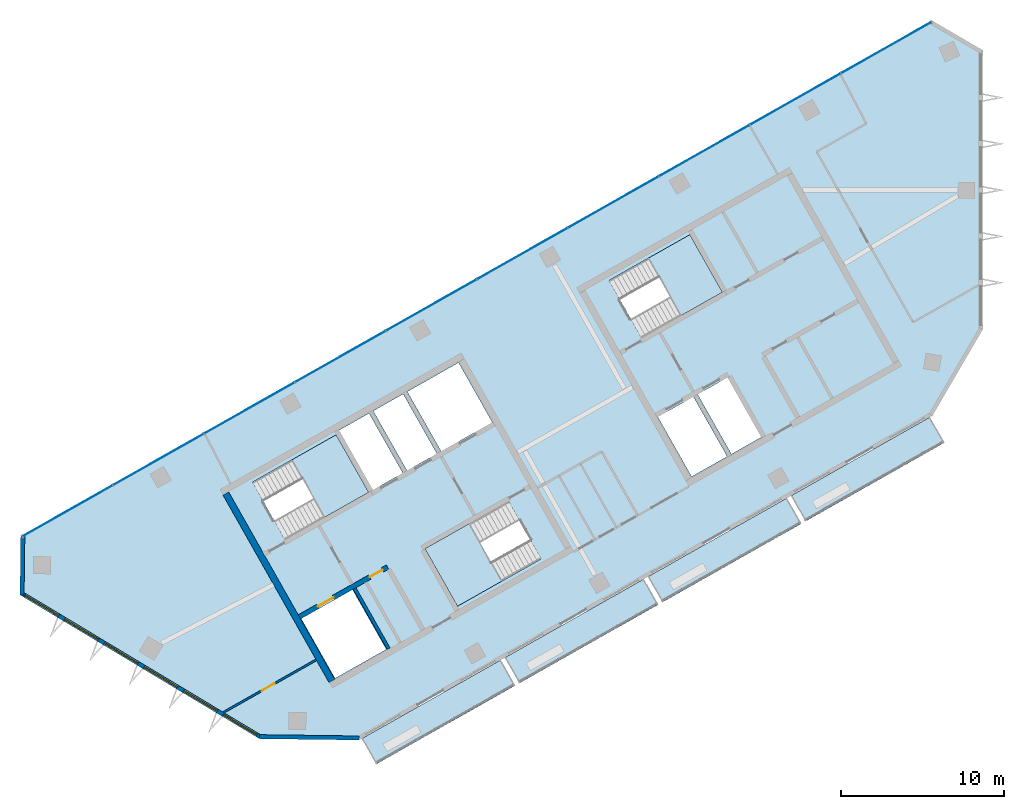
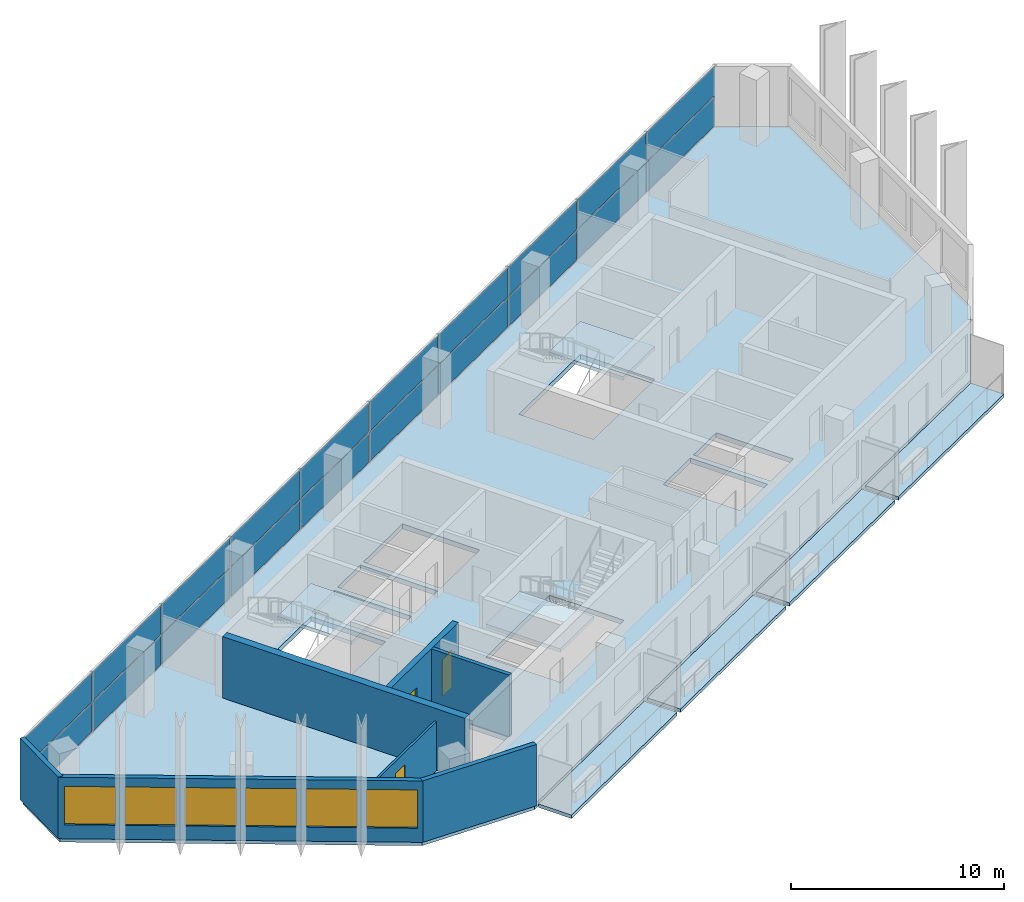
# One storey, part 5 of 10: 20 plates, 8 slabs, 7 walls, 6 windows, 3 doors, 9 openings, 4 elements without a shape of their own.
"""IFC4 building model written with IfcOpenShell, lengths in metres."""

from ifc_helpers import new_model, si_unit, direction, frame, frame_2d, origin, origin_2d, place, context, subcontext, project, spatial, polyline, rectangle, outline, extrude, material, layer, layer_set, type_object, element, fill, aggregate, save


model = new_model("IFC4")

# Units and contexts
model_context = context("Model", 3, precision=1e-05, world=origin(), true_north=direction((0.0, 1.0)))
body_context = subcontext(model_context, "Body", "Model", "MODEL_VIEW")
ifc_project = project(units=[si_unit("LENGTHUNIT", "METRE"), si_unit("AREAUNIT", "SQUARE_METRE"), si_unit("VOLUMEUNIT", "CUBIC_METRE"), si_unit("PLANEANGLEUNIT", "RADIAN"), si_unit("MASSUNIT", "GRAM", prefix="KILO")], contexts=[model_context])

# Site, building, storey
site_placement = place(None, origin())
site = spatial("IfcSite", under=ifc_project, at=site_placement, CompositionType="ELEMENT")
building_placement = place(site_placement, origin())
building = spatial("IfcBuilding", under=site, at=building_placement, Name="Binnacle Exchange Tower", CompositionType="ELEMENT")
storey_placement = place(building_placement, frame((0.0, 0.0, 316.5)))
storey = spatial("IfcBuildingStorey", under=building, at=storey_placement, Name="L71", CompositionType="ELEMENT", Elevation=316.5)

# Slabs
ifc_material_1 = material(Name="Concrete C35/45", Category="concrete")
ifc_layer_1 = layer(ifc_material_1, 0.199951171875)
ifc_layer_set_1 = layer_set([ifc_layer_1], Name="BALCONY SLAB 200")
slab_type_1 = type_object("IfcSlabType", Name="BALCONY SLAB 200", PredefinedType="FLOOR", material=ifc_layer_set_1)
slab_1_placement = place(storey_placement, frame((0.0, 0.0, -0.199951171875)))
element("IfcSlab", 1, at=slab_1_placement, inside=storey, type_object=slab_type_1, Name="Balcony BA-H07-00 L71", PredefinedType="FLOOR", context=body_context, shape_type="SweptSolid", body=[
    extrude(outline(polyline([(-37.90576171875, 26.410400390625), (-29.40380859375, 31.220458984375), (-28.517578125, 29.65380859375), (-37.019287109375, 24.84375), (-37.90576171875, 26.410400390625)])), origin(), (0.0, 0.0, 1.0), 0.199951171875),
])
slab_2_placement = place(storey_placement, frame((0.0, 0.0, -0.199951171875)))
element("IfcSlab", 2, at=slab_2_placement, inside=storey, type_object=slab_type_1, Name="Balcony BA-H07-01 L71", PredefinedType="FLOOR", context=body_context, shape_type="SweptSolid", body=[
    extrude(outline(polyline([(-29.142822265625, 31.3681640625), (-20.64111328125, 36.17822265625), (-19.754638671875, 34.611572265625), (-28.25634765625, 29.801513671875), (-29.142822265625, 31.3681640625)])), origin(), (0.0, 0.0, 1.0), 0.199951171875),
])
slab_3_placement = place(storey_placement, frame((0.0, 0.0, -0.199951171875)))
element("IfcSlab", 3, at=slab_3_placement, inside=storey, type_object=slab_type_1, Name="Balcony BA-H07-02 L71", PredefinedType="FLOOR", context=body_context, shape_type="SweptSolid", body=[
    extrude(outline(polyline([(-20.3798828125, 36.325927734375), (-11.878173828125, 41.135986328125), (-10.99169921875, 39.5693359375), (-19.493408203125, 34.759521484375), (-20.3798828125, 36.325927734375)])), origin(), (0.0, 0.0, 1.0), 0.199951171875),
])
slab_4_placement = place(storey_placement, frame((0.0, 0.0, -0.199951171875)))
element("IfcSlab", 4, at=slab_4_placement, inside=storey, type_object=slab_type_1, Name="Balcony BA-H07-03 L71", PredefinedType="FLOOR", context=body_context, shape_type="SweptSolid", body=[
    extrude(outline(polyline([(-11.616943359375, 41.28369140625), (-3.115234375, 46.093994140625), (-2.22900390625, 44.527099609375), (-10.730712890625, 39.717041015625), (-11.616943359375, 41.28369140625)])), origin(), (0.0, 0.0, 1.0), 0.199951171875),
])

# Curtain wall, plates
ifc_material_2 = material(Name="Bronze anodised aluminium frame", Category="aluminium")
curtain_wall_type = type_object("IfcCurtainWallType", Name="External wall - curtain wall executive floors", PredefinedType="NOTDEFINED", material=ifc_material_2)
curtain_wall_placement = place(storey_placement, origin())
curtain_wall = element("IfcCurtainWall", 5, at=curtain_wall_placement, inside=storey, type_object=curtain_wall_type, Name="External wall curtain wall CW4-H03 L71", PredefinedType="NOTDEFINED")
ifc_material_3 = material(Name="Glass", Category="glass")
ifc_layer_2 = layer(ifc_material_3, 0.031982421875)
ifc_layer_set_2 = layer_set([ifc_layer_2], Name="CW4 GLASS PANEL 32")
plate_type = type_object("IfcPlateType", Name="CW4 GLASS PANEL 32", PredefinedType="CURTAIN_PANEL", material=ifc_layer_set_2)
plate_1_placement = place(storey_placement, frame((-5.786376953125, 68.72607421875, 0.050048828125), z_axis=(0.0, 0.0, 1.0), x_axis=(-0.870355581136, -0.492423763019, 0.0)))
plate_1 = element("IfcPlate", 6, at=plate_1_placement, type_object=plate_type, Name="CW4-H03 panel 1.1", PredefinedType="CURTAIN_PANEL", context=body_context, shape_type="SweptSolid", body=[
    extrude(rectangle(XDim=6.30029296875, YDim=0.031982421875, at=origin_2d()), origin(), (0.0, 0.0, 1.0), 1.68505859375),
])
plate_2_placement = place(storey_placement, frame((-5.786376953125, 68.72607421875, 1.784912109375), z_axis=(0.0, 0.0, 1.0), x_axis=(-0.870355581136, -0.492423763019, 0.0)))
plate_2 = element("IfcPlate", 7, at=plate_2_placement, type_object=plate_type, Name="CW4-H03 panel 1.2", PredefinedType="CURTAIN_PANEL", context=body_context, shape_type="SweptSolid", body=[
    extrude(rectangle(XDim=6.30029296875, YDim=0.031982421875, at=origin_2d()), origin(), (0.0, 0.0, 1.0), 1.68505859375),
])
plate_3_placement = place(storey_placement, frame((-11.345947265625, 65.580810546875, 0.050048828125), z_axis=(0.0, 0.0, 1.0), x_axis=(-0.870355581136, -0.492423763019, 0.0)))
plate_3 = element("IfcPlate", 8, at=plate_3_placement, type_object=plate_type, Name="CW4-H03 panel 2.1", PredefinedType="CURTAIN_PANEL", context=body_context, shape_type="SweptSolid", body=[
    extrude(rectangle(XDim=6.335205078125, YDim=0.031982421875, at=origin_2d()), origin(), (0.0, 0.0, 1.0), 1.68505859375),
])
plate_4_placement = place(storey_placement, frame((-11.345947265625, 65.580810546875, 1.784912109375), z_axis=(0.0, 0.0, 1.0), x_axis=(-0.870355581136, -0.492423763019, 0.0)))
plate_4 = element("IfcPlate", 9, at=plate_4_placement, type_object=plate_type, Name="CW4-H03 panel 2.2", PredefinedType="CURTAIN_PANEL", context=body_context, shape_type="SweptSolid", body=[
    extrude(rectangle(XDim=6.335205078125, YDim=0.031982421875, at=origin_2d()), origin(), (0.0, 0.0, 1.0), 1.68505859375),
])
plate_5_placement = place(storey_placement, frame((-16.9208984375, 62.426513671875, 0.050048828125), z_axis=(0.0, 0.0, 1.0), x_axis=(-0.870355581136, -0.492423763019, 0.0)))
plate_5 = element("IfcPlate", 10, at=plate_5_placement, type_object=plate_type, Name="CW4-H03 panel 3.1", PredefinedType="CURTAIN_PANEL", context=body_context, shape_type="SweptSolid", body=[
    extrude(rectangle(XDim=6.335205078125, YDim=0.031982421875, at=origin_2d()), origin(), (0.0, 0.0, 1.0), 1.68505859375),
])
plate_6_placement = place(storey_placement, frame((-16.9208984375, 62.426513671875, 1.784912109375), z_axis=(0.0, 0.0, 1.0), x_axis=(-0.870355581136, -0.492423763019, 0.0)))
plate_6 = element("IfcPlate", 11, at=plate_6_placement, type_object=plate_type, Name="CW4-H03 panel 3.2", PredefinedType="CURTAIN_PANEL", context=body_context, shape_type="SweptSolid", body=[
    extrude(rectangle(XDim=6.335205078125, YDim=0.031982421875, at=origin_2d()), origin(), (0.0, 0.0, 1.0), 1.68505859375),
])
plate_7_placement = place(storey_placement, frame((-22.49560546875, 59.2724609375, 0.050048828125), z_axis=(0.0, 0.0, 1.0), x_axis=(-0.870355581136, -0.492423763019, 0.0)))
plate_7 = element("IfcPlate", 12, at=plate_7_placement, type_object=plate_type, Name="CW4-H03 panel 4.1", PredefinedType="CURTAIN_PANEL", context=body_context, shape_type="SweptSolid", body=[
    extrude(rectangle(XDim=6.335205078125, YDim=0.031982421875, at=origin_2d()), origin(), (0.0, 0.0, 1.0), 1.68505859375),
])
plate_8_placement = place(storey_placement, frame((-22.49560546875, 59.2724609375, 1.784912109375), z_axis=(0.0, 0.0, 1.0), x_axis=(-0.870355581136, -0.492423763019, 0.0)))
plate_8 = element("IfcPlate", 13, at=plate_8_placement, type_object=plate_type, Name="CW4-H03 panel 4.2", PredefinedType="CURTAIN_PANEL", context=body_context, shape_type="SweptSolid", body=[
    extrude(rectangle(XDim=6.335205078125, YDim=0.031982421875, at=origin_2d()), origin(), (0.0, 0.0, 1.0), 1.68505859375),
])
plate_9_placement = place(storey_placement, frame((-28.070556640625, 56.118408203125, 0.050048828125), z_axis=(0.0, 0.0, 1.0), x_axis=(-0.870355581136, -0.492423763019, 0.0)))
plate_9 = element("IfcPlate", 14, at=plate_9_placement, type_object=plate_type, Name="CW4-H03 panel 5.1", PredefinedType="CURTAIN_PANEL", context=body_context, shape_type="SweptSolid", body=[
    extrude(rectangle(XDim=6.335205078125, YDim=0.031982421875, at=origin_2d()), origin(), (0.0, 0.0, 1.0), 1.68505859375),
])
plate_10_placement = place(storey_placement, frame((-28.070556640625, 56.118408203125, 1.784912109375), z_axis=(0.0, 0.0, 1.0), x_axis=(-0.870355581136, -0.492423763019, 0.0)))
plate_10 = element("IfcPlate", 15, at=plate_10_placement, type_object=plate_type, Name="CW4-H03 panel 5.2", PredefinedType="CURTAIN_PANEL", context=body_context, shape_type="SweptSolid", body=[
    extrude(rectangle(XDim=6.335205078125, YDim=0.031982421875, at=origin_2d()), origin(), (0.0, 0.0, 1.0), 1.68505859375),
])
plate_11_placement = place(storey_placement, frame((-33.6455078125, 52.96435546875, 0.050048828125), z_axis=(0.0, 0.0, 1.0), x_axis=(-0.870355581136, -0.492423763019, 0.0)))
plate_11 = element("IfcPlate", 16, at=plate_11_placement, type_object=plate_type, Name="CW4-H03 panel 6.1", PredefinedType="CURTAIN_PANEL", context=body_context, shape_type="SweptSolid", body=[
    extrude(rectangle(XDim=6.335205078125, YDim=0.031982421875, at=origin_2d()), origin(), (0.0, 0.0, 1.0), 1.68505859375),
])
plate_12_placement = place(storey_placement, frame((-33.6455078125, 52.96435546875, 1.784912109375), z_axis=(0.0, 0.0, 1.0), x_axis=(-0.870355581136, -0.492423763019, 0.0)))
plate_12 = element("IfcPlate", 17, at=plate_12_placement, type_object=plate_type, Name="CW4-H03 panel 6.2", PredefinedType="CURTAIN_PANEL", context=body_context, shape_type="SweptSolid", body=[
    extrude(rectangle(XDim=6.335205078125, YDim=0.031982421875, at=origin_2d()), origin(), (0.0, 0.0, 1.0), 1.68505859375),
])
plate_13_placement = place(storey_placement, frame((-39.22021484375, 49.810302734375, 0.050048828125), z_axis=(0.0, 0.0, 1.0), x_axis=(-0.870355581136, -0.492423763019, 0.0)))
plate_13 = element("IfcPlate", 18, at=plate_13_placement, type_object=plate_type, Name="CW4-H03 panel 7.1", PredefinedType="CURTAIN_PANEL", context=body_context, shape_type="SweptSolid", body=[
    extrude(rectangle(XDim=6.335205078125, YDim=0.031982421875, at=origin_2d()), origin(), (0.0, 0.0, 1.0), 1.68505859375),
])
plate_14_placement = place(storey_placement, frame((-39.22021484375, 49.810302734375, 1.784912109375), z_axis=(0.0, 0.0, 1.0), x_axis=(-0.870355581136, -0.492423763019, 0.0)))
plate_14 = element("IfcPlate", 19, at=plate_14_placement, type_object=plate_type, Name="CW4-H03 panel 7.2", PredefinedType="CURTAIN_PANEL", context=body_context, shape_type="SweptSolid", body=[
    extrude(rectangle(XDim=6.335205078125, YDim=0.031982421875, at=origin_2d()), origin(), (0.0, 0.0, 1.0), 1.68505859375),
])
plate_15_placement = place(storey_placement, frame((-44.795166015625, 46.656005859375, 0.050048828125), z_axis=(0.0, 0.0, 1.0), x_axis=(-0.870355581136, -0.492423763019, 0.0)))
plate_15 = element("IfcPlate", 20, at=plate_15_placement, type_object=plate_type, Name="CW4-H03 panel 8.1", PredefinedType="CURTAIN_PANEL", context=body_context, shape_type="SweptSolid", body=[
    extrude(rectangle(XDim=6.335205078125, YDim=0.031982421875, at=origin_2d()), origin(), (0.0, 0.0, 1.0), 1.68505859375),
])
plate_16_placement = place(storey_placement, frame((-44.795166015625, 46.656005859375, 1.784912109375), z_axis=(0.0, 0.0, 1.0), x_axis=(-0.870355581136, -0.492423763019, 0.0)))
plate_16 = element("IfcPlate", 21, at=plate_16_placement, type_object=plate_type, Name="CW4-H03 panel 8.2", PredefinedType="CURTAIN_PANEL", context=body_context, shape_type="SweptSolid", body=[
    extrude(rectangle(XDim=6.335205078125, YDim=0.031982421875, at=origin_2d()), origin(), (0.0, 0.0, 1.0), 1.68505859375),
])
plate_17_placement = place(storey_placement, frame((-50.369873046875, 43.501953125, 0.050048828125), z_axis=(0.0, 0.0, 1.0), x_axis=(-0.870355581136, -0.492423763019, 0.0)))
plate_17 = element("IfcPlate", 22, at=plate_17_placement, type_object=plate_type, Name="CW4-H03 panel 9.1", PredefinedType="CURTAIN_PANEL", context=body_context, shape_type="SweptSolid", body=[
    extrude(rectangle(XDim=6.335205078125, YDim=0.031982421875, at=origin_2d()), origin(), (0.0, 0.0, 1.0), 1.68505859375),
])
plate_18_placement = place(storey_placement, frame((-50.369873046875, 43.501953125, 1.784912109375), z_axis=(0.0, 0.0, 1.0), x_axis=(-0.870355581136, -0.492423763019, 0.0)))
plate_18 = element("IfcPlate", 23, at=plate_18_placement, type_object=plate_type, Name="CW4-H03 panel 9.2", PredefinedType="CURTAIN_PANEL", context=body_context, shape_type="SweptSolid", body=[
    extrude(rectangle(XDim=6.335205078125, YDim=0.031982421875, at=origin_2d()), origin(), (0.0, 0.0, 1.0), 1.68505859375),
])
plate_19_placement = place(storey_placement, frame((-55.9296875, 40.3564453125, 0.050048828125), z_axis=(0.0, 0.0, 1.0), x_axis=(-0.870355581136, -0.492423763019, 0.0)))
plate_19 = element("IfcPlate", 24, at=plate_19_placement, type_object=plate_type, Name="CW4-H03 panel 10.1", PredefinedType="CURTAIN_PANEL", context=body_context, shape_type="SweptSolid", body=[
    extrude(rectangle(XDim=6.30029296875, YDim=0.031982421875, at=origin_2d()), origin(), (0.0, 0.0, 1.0), 1.68505859375),
])
plate_20_placement = place(storey_placement, frame((-55.9296875, 40.3564453125, 1.784912109375), z_axis=(0.0, 0.0, 1.0), x_axis=(-0.870355581136, -0.492423763019, 0.0)))
plate_20 = element("IfcPlate", 25, at=plate_20_placement, type_object=plate_type, Name="CW4-H03 panel 10.2", PredefinedType="CURTAIN_PANEL", context=body_context, shape_type="SweptSolid", body=[
    extrude(rectangle(XDim=6.30029296875, YDim=0.031982421875, at=origin_2d()), origin(), (0.0, 0.0, 1.0), 1.68505859375),
])
aggregate(curtain_wall, [plate_1, plate_2, plate_3, plate_4, plate_5, plate_6, plate_7, plate_8, plate_9, plate_10, plate_11, plate_12, plate_13, plate_14, plate_15, plate_16, plate_17, plate_18, plate_19, plate_20])

# Slab
ifc_layer_3 = layer(ifc_material_1, 0.280029296875)
ifc_layer_set_3 = layer_set([ifc_layer_3], Name="Floor slab 280 Concrete C35/45")
slab_type_2 = type_object("IfcSlabType", Name="Floor slab 280 Concrete C35/45", PredefinedType="FLOOR", material=ifc_layer_set_3)
slab_5_placement = place(storey_placement, frame((0.0, 0.0, -0.280029296875)))
element("IfcSlab", 26, at=slab_5_placement, inside=storey, type_object=slab_type_2, Name="S:SL:L71:01", PredefinedType="FLOOR", context=body_context, shape_type="SweptSolid", body=[
    extrude(outline(polyline([(-38.097900390625, 26.4453125), (-44.14404296875, 26.5244140625), (-58.716064453125, 35.280029296875), (-58.669921875, 38.80615234375), (-3.046142578125, 70.276611328125), (0.0, 68.5), (0.0, 51.5), (-3.046142578125, 46.276611328125), (-38.097900390625, 26.4453125)]), holes=[polyline([(-38.4794921875, 35.529296875), (-41.61279296875, 33.756591796875), (-39.544677734375, 30.10107421875), (-36.411376953125, 31.873779296875), (-38.4794921875, 35.529296875)]), polyline([(-32.04638671875, 34.515625), (-26.9287109375, 37.4111328125), (-28.923095703125, 40.93603515625), (-34.040771484375, 38.04052734375), (-32.04638671875, 34.515625)]), polyline([(-39.480712890625, 45.01611328125), (-44.598388671875, 42.12060546875), (-42.604248046875, 38.595703125), (-37.486572265625, 41.4912109375), (-39.480712890625, 45.01611328125)]), polyline([(-37.4658203125, 46.32861328125), (-39.293701171875, 45.29443359375), (-37.225341796875, 41.638916015625), (-35.397705078125, 42.673095703125), (-37.4658203125, 46.32861328125)]), polyline([(-17.598876953125, 47.343017578125), (-19.77490234375, 46.11181640625), (-17.70654296875, 42.456298828125), (-15.53076171875, 43.6875), (-17.598876953125, 47.343017578125)]), polyline([(-35.376953125, 47.51025390625), (-37.20458984375, 46.476318359375), (-35.136474609375, 42.82080078125), (-33.308837890625, 43.854736328125), (-35.376953125, 47.51025390625)]), polyline([(-15.510009765625, 48.52490234375), (-17.337890625, 47.49072265625), (-15.26953125, 43.835205078125), (-13.44189453125, 44.869384765625), (-15.510009765625, 48.52490234375)]), polyline([(-29.914306640625, 45.775390625), (-31.982666015625, 49.430908203125), (-35.115966796875, 47.657958984375), (-33.047607421875, 44.00244140625), (-29.914306640625, 45.775390625)]), polyline([(-15.822509765625, 53.748046875), (-17.81689453125, 57.27294921875), (-22.760498046875, 54.47607421875), (-20.76611328125, 50.950927734375), (-15.822509765625, 53.748046875)])]), origin(), (0.0, 0.0, 1.0), 0.280029296875),
])

# Stair, slab
stair_type = type_object("IfcStairType", Name="STAIR 22 RISERS 173", PredefinedType="HALF_TURN_STAIR", material=ifc_material_1)
stair_1_placement = place(storey_placement, origin())
stair_1 = element("IfcStair", 27, at=stair_1_placement, inside=storey, type_object=stair_type, Name="L71 Escape stair A1", PredefinedType="HALF_TURN_STAIR")
ifc_layer_4 = layer(ifc_material_1, 0.199951171875)
ifc_layer_set_4 = layer_set([ifc_layer_4], Name="STAIR LANDING 200")
slab_type_3 = type_object("IfcSlabType", Name="STAIR LANDING 200", PredefinedType="LANDING", material=ifc_layer_set_4)
slab_6_placement = place(storey_placement, frame((0.0, 0.0, 1.699951171875)))
slab_6 = element("IfcSlab", 28, at=slab_6_placement, type_object=slab_type_3, Name="STA1 landing 1", PredefinedType="LANDING", context=body_context, shape_type="SweptSolid", body=[
    extrude(outline(polyline([(-40.2021484375, 39.954833984375), (-37.486572265625, 41.4912109375), (-39.48095703125, 45.01611328125), (-42.1962890625, 43.479736328125), (-40.2021484375, 39.954833984375)])), origin(), (0.0, 0.0, 1.0), 0.199951171875),
])
aggregate(stair_1, [slab_6])

stair_2_placement = place(storey_placement, origin())
stair_2 = element("IfcStair", 29, at=stair_2_placement, inside=storey, type_object=stair_type, Name="L71 Escape stair A2", PredefinedType="HALF_TURN_STAIR")
slab_7_placement = place(storey_placement, frame((0.0, 0.0, 1.699951171875)))
slab_7 = element("IfcSlab", 30, at=slab_7_placement, type_object=slab_type_3, Name="STA2 landing 1", PredefinedType="LANDING", context=body_context, shape_type="SweptSolid", body=[
    extrude(outline(polyline([(-31.3251953125, 39.576904296875), (-34.040771484375, 38.04052734375), (-32.04638671875, 34.515625), (-29.330810546875, 36.052001953125), (-31.3251953125, 39.576904296875)])), origin(), (0.0, 0.0, 1.0), 0.199951171875),
])
aggregate(stair_2, [slab_7])

stair_3_placement = place(storey_placement, origin())
stair_3 = element("IfcStair", 31, at=stair_3_placement, inside=storey, type_object=stair_type, Name="L71 Escape stair C1", PredefinedType="HALF_TURN_STAIR")
slab_8_placement = place(storey_placement, frame((0.0, 0.0, 1.699951171875)))
slab_8 = element("IfcSlab", 32, at=slab_8_placement, type_object=slab_type_3, Name="STC1 landing 1", PredefinedType="LANDING", context=body_context, shape_type="SweptSolid", body=[
    extrude(outline(polyline([(-18.364013671875, 52.31005859375), (-15.822509765625, 53.748046875), (-17.81689453125, 57.27294921875), (-20.3583984375, 55.8349609375), (-18.364013671875, 52.31005859375)])), origin(), (0.0, 0.0, 1.0), 0.199951171875),
])
aggregate(stair_3, [slab_8])

# Wall, openings, doors
ifc_material_4 = material(Name="Concrete C70/85", Category="concrete")
ifc_layer_5 = layer(ifc_material_4, 0.300048828125)
ifc_layer_set_5 = layer_set([ifc_layer_5], Name="Core wall - front 300")
wall_type_1 = type_object("IfcWallType", Name="Core wall - front 300", PredefinedType="SOLIDWALL", material=ifc_layer_set_5)
wall_1_placement = place(storey_placement, frame((-41.72998046875, 33.862548828125, 0.0), z_axis=(0.0, 0.0, 1.0), x_axis=(0.870350800578, 0.492432212525, 0.0)))
wall_1 = element("IfcWall", 33, at=wall_1_placement, inside=storey, type_object=wall_type_1, Name="Core wall CRWA2", PredefinedType="SOLIDWALL", context=body_context, shape_type="SweptSolid", body=[
    extrude(rectangle(XDim=6.19970703125, YDim=0.300048828125, at=frame_2d((3.099853515625, 0.0))), origin(), (0.0, 0.0, 1.0), 3.52001953125),
])
opening_1_placement = place(wall_1_placement, frame((1.300048828125, 0.0, 0.0)))
opening_1 = element("IfcOpeningElement", 34, at=opening_1_placement, cuts=wall_1, Name="Opening LD12", PredefinedType="OPENING", context=body_context, shape_type="SweptSolid", body=[
    extrude(rectangle(XDim=1.10009765625, YDim=2.10009765625, at=frame_2d((0.550048828125, 1.050048828125))), frame((0.0, 0.159912109375, 0.0), z_axis=(0.0, -1.0, 0.0), x_axis=(1.0, 0.0, 0.0)), (0.0, 0.0, 1.0), 0.320068359375),
])
opening_2_placement = place(wall_1_placement, frame((4.949951171875, 0.0, 0.0)))
opening_2 = element("IfcOpeningElement", 35, at=opening_2_placement, cuts=wall_1, Name="Opening DA14", PredefinedType="OPENING", context=body_context, shape_type="SweptSolid", body=[
    extrude(rectangle(XDim=0.89990234375, YDim=2.10009765625, at=frame_2d((0.449951171875, 1.050048828125))), frame((0.0, 0.159912109375, 0.0), z_axis=(0.0, -1.0, 0.0), x_axis=(1.0, 0.0, 0.0)), (0.0, 0.0, 1.0), 0.320068359375),
])
ifc_material_5 = material(Name="Steel door leaf", Category="steel")
door_type_1 = type_object("IfcDoorType", Name="Fire door - lift landing 1100", OperationType="NOTDEFINED", PredefinedType="DOOR", material=ifc_material_5)
door_1_placement = place(opening_1_placement, origin())
door_1 = element("IfcDoor", 36, at=door_1_placement, inside=storey, type_object=door_type_1, Name="Landing door LD12 L71", OperationType="DOUBLE_DOOR_SLIDING", OverallHeight=2.10009765625, OverallWidth=1.10009765625, PredefinedType="DOOR", context=body_context, shape_type="SweptSolid", body=[
    extrude(rectangle(XDim=1.10009765625, YDim=2.10009765625, at=frame_2d((0.550048828125, 1.050048828125))), frame((0.0, 0.02490234375, 0.0), z_axis=(0.0, -1.0, 0.0), x_axis=(1.0, 0.0, 0.0)), (0.0, 0.0, 1.0), 0.050048828125),
])
fill(opening_1, door_1)
door_type_2 = type_object("IfcDoorType", Name="Fire door 900", OperationType="NOTDEFINED", PredefinedType="DOOR", material=ifc_material_5)
door_2_placement = place(opening_2_placement, frame((0.89990234375, 0.0, 0.0), z_axis=(0.0, 0.0, 1.0), x_axis=(-1.0, 0.0, 0.0)))
door_2 = element("IfcDoor", 37, at=door_2_placement, inside=storey, type_object=door_type_2, Name="Core room door ELECTRICAL ROOM", OperationType="SINGLE_SWING_LEFT", OverallHeight=2.10009765625, OverallWidth=0.89990234375, PredefinedType="DOOR", context=body_context, shape_type="SweptSolid", body=[
    extrude(rectangle(XDim=0.89990234375, YDim=2.10009765625, at=frame_2d((0.449951171875, 1.050048828125))), frame((0.0, 0.02490234375, 0.0), z_axis=(0.0, -1.0, 0.0), x_axis=(1.0, 0.0, 0.0)), (0.0, 0.0, 1.0), 0.050048828125),
])
fill(opening_2, door_2)

# Walls
ifc_layer_6 = layer(ifc_material_4, 0.39990234375)
ifc_layer_set_6 = layer_set([ifc_layer_6], Name="Core wall - outer 400")
wall_type_2 = type_object("IfcWallType", Name="Core wall - outer 400", PredefinedType="SOLIDWALL", material=ifc_layer_set_6)
wall_2_placement = place(storey_placement, frame((-46.237548828125, 41.423095703125, 0.0), z_axis=(0.0, 0.0, 1.0), x_axis=(0.492421663121, -0.870356769198, 0.0)))
element("IfcWall", 38, at=wall_2_placement, inside=storey, type_object=wall_type_2, Name="Core wall CRWA7", PredefinedType="SOLIDWALL", context=body_context, shape_type="SweptSolid", body=[
    extrude(rectangle(XDim=13.199951171875, YDim=0.39990234375, at=frame_2d((6.60009765625, 0.0))), origin(), (0.0, 0.0, 1.0), 3.52001953125),
])
ifc_material_6 = material(Name="Bronze aluminium cladding", Category="aluminium")
ifc_layer_7 = layer(ifc_material_6, 0.25)
ifc_layer_set_7 = layer_set([ifc_layer_7], Name="External wall - window wall 250")
wall_type_3 = type_object("IfcWallType", Name="External wall - window wall 250", PredefinedType="STANDARD", material=ifc_layer_set_7)
wall_3_placement = place(storey_placement, frame((-58.717041015625, 35.208251953125, 0.0), z_axis=(0.0, 0.0, 1.0), x_axis=(0.01310512158, 0.999914124207, 0.0)))
element("IfcWall", 39, at=wall_3_placement, inside=storey, type_object=wall_type_3, Name="External wall EW-H04 L71", PredefinedType="STANDARD", context=body_context, shape_type="SweptSolid", body=[
    extrude(rectangle(XDim=3.669921875, YDim=0.25, at=frame_2d((1.8349609375, 0.0))), origin(), (0.0, 0.0, 1.0), 3.52001953125),
])

# Wall, openings, windows
wall_4_placement = place(storey_placement, frame((-44.115234375, 26.507080078125, 0.0), z_axis=(0.0, 0.0, 1.0), x_axis=(-0.857166583633, 0.515039268311, 0.0)))
wall_4 = element("IfcWall", 40, at=wall_4_placement, inside=storey, type_object=wall_type_3, Name="External wall EW-H05 L71", PredefinedType="STANDARD", context=body_context, shape_type="SweptSolid", body=[
    extrude(rectangle(XDim=17.105712890625, YDim=0.25, at=frame_2d((8.552734375, 0.0))), origin(), (0.0, 0.0, 1.0), 3.52001953125),
])
opening_3_placement = place(wall_4_placement, frame((14.4169921875, 0.0, 0.800048828125)))
opening_3 = element("IfcOpeningElement", 41, at=opening_3_placement, cuts=wall_4, Name="Opening WR2", PredefinedType="OPENING", context=body_context, shape_type="SweptSolid", body=[
    extrude(rectangle(XDim=2.39990234375, YDim=2.199951171875, at=frame_2d((1.199951171875, 1.10009765625))), frame((0.0, 0.135009765625, 0.0), z_axis=(0.0, -1.0, 0.0), x_axis=(1.0, 0.0, 0.0)), (0.0, 0.0, 1.0), 0.27001953125),
])
opening_4_placement = place(wall_4_placement, frame((11.583740234375, 0.0, 0.800048828125)))
opening_4 = element("IfcOpeningElement", 42, at=opening_4_placement, cuts=wall_4, Name="Opening WR2", PredefinedType="OPENING", context=body_context, shape_type="SweptSolid", body=[
    extrude(rectangle(XDim=2.39990234375, YDim=2.199951171875, at=frame_2d((1.199951171875, 1.10009765625))), frame((0.0, 0.135009765625, 0.0), z_axis=(0.0, -1.0, 0.0), x_axis=(1.0, 0.0, 0.0)), (0.0, 0.0, 1.0), 0.27001953125),
])
opening_5_placement = place(wall_4_placement, frame((8.75048828125, 0.0, 0.800048828125)))
opening_5 = element("IfcOpeningElement", 43, at=opening_5_placement, cuts=wall_4, Name="Opening WR2", PredefinedType="OPENING", context=body_context, shape_type="SweptSolid", body=[
    extrude(rectangle(XDim=2.39990234375, YDim=2.199951171875, at=frame_2d((1.199951171875, 1.10009765625))), frame((0.0, 0.135009765625, 0.0), z_axis=(0.0, -1.0, 0.0), x_axis=(1.0, 0.0, 0.0)), (0.0, 0.0, 1.0), 0.27001953125),
])
opening_6_placement = place(wall_4_placement, frame((5.9169921875, 0.0, 0.800048828125)))
opening_6 = element("IfcOpeningElement", 44, at=opening_6_placement, cuts=wall_4, Name="Opening WR2", PredefinedType="OPENING", context=body_context, shape_type="SweptSolid", body=[
    extrude(rectangle(XDim=2.39990234375, YDim=2.199951171875, at=frame_2d((1.199951171875, 1.10009765625))), frame((0.0, 0.135009765625, 0.0), z_axis=(0.0, -1.0, 0.0), x_axis=(1.0, 0.0, 0.0)), (0.0, 0.0, 1.0), 0.27001953125),
])
opening_7_placement = place(wall_4_placement, frame((3.083740234375, 0.0, 0.800048828125)))
opening_7 = element("IfcOpeningElement", 45, at=opening_7_placement, cuts=wall_4, Name="Opening WR2", PredefinedType="OPENING", context=body_context, shape_type="SweptSolid", body=[
    extrude(rectangle(XDim=2.39990234375, YDim=2.199951171875, at=frame_2d((1.199951171875, 1.10009765625))), frame((0.0, 0.135009765625, 0.0), z_axis=(0.0, -1.0, 0.0), x_axis=(1.0, 0.0, 0.0)), (0.0, 0.0, 1.0), 0.27001953125),
])
opening_8_placement = place(wall_4_placement, frame((0.25048828125, 0.0, 0.800048828125)))
opening_8 = element("IfcOpeningElement", 46, at=opening_8_placement, cuts=wall_4, Name="Opening WR2", PredefinedType="OPENING", context=body_context, shape_type="SweptSolid", body=[
    extrude(rectangle(XDim=2.39990234375, YDim=2.199951171875, at=frame_2d((1.199951171875, 1.10009765625))), frame((0.0, 0.135009765625, 0.0), z_axis=(0.0, -1.0, 0.0), x_axis=(1.0, 0.0, 0.0)), (0.0, 0.0, 1.0), 0.27001953125),
])
window_type = type_object("IfcWindowType", Name="WR2 WINDOW 2400x2200", PartitioningType="SINGLE_PANEL", PredefinedType="WINDOW", material=ifc_material_2)
window_1_placement = place(opening_3_placement, origin())
window_1 = element("IfcWindow", 47, at=window_1_placement, inside=storey, type_object=window_type, Name="Window WR2 L71", OverallHeight=2.199951171875, OverallWidth=2.39990234375, PartitioningType="SINGLE_PANEL", PredefinedType="WINDOW", context=body_context, shape_type="SweptSolid", body=[
    extrude(rectangle(XDim=2.39990234375, YDim=2.199951171875, at=frame_2d((1.199951171875, 1.10009765625))), frame((0.0, 0.030029296875, 0.0), z_axis=(0.0, -1.0, 0.0), x_axis=(1.0, 0.0, 0.0)), (0.0, 0.0, 1.0), 0.06005859375),
])
fill(opening_3, window_1)
window_2_placement = place(opening_4_placement, origin())
window_2 = element("IfcWindow", 48, at=window_2_placement, inside=storey, type_object=window_type, Name="Window WR2 L71", OverallHeight=2.199951171875, OverallWidth=2.39990234375, PartitioningType="SINGLE_PANEL", PredefinedType="WINDOW", context=body_context, shape_type="SweptSolid", body=[
    extrude(rectangle(XDim=2.39990234375, YDim=2.199951171875, at=frame_2d((1.199951171875, 1.10009765625))), frame((0.0, 0.030029296875, 0.0), z_axis=(0.0, -1.0, 0.0), x_axis=(1.0, 0.0, 0.0)), (0.0, 0.0, 1.0), 0.06005859375),
])
fill(opening_4, window_2)
window_3_placement = place(opening_5_placement, origin())
window_3 = element("IfcWindow", 49, at=window_3_placement, inside=storey, type_object=window_type, Name="Window WR2 L71", OverallHeight=2.199951171875, OverallWidth=2.39990234375, PartitioningType="SINGLE_PANEL", PredefinedType="WINDOW", context=body_context, shape_type="SweptSolid", body=[
    extrude(rectangle(XDim=2.39990234375, YDim=2.199951171875, at=frame_2d((1.199951171875, 1.10009765625))), frame((0.0, 0.030029296875, 0.0), z_axis=(0.0, -1.0, 0.0), x_axis=(1.0, 0.0, 0.0)), (0.0, 0.0, 1.0), 0.06005859375),
])
fill(opening_5, window_3)
window_4_placement = place(opening_6_placement, origin())
window_4 = element("IfcWindow", 50, at=window_4_placement, inside=storey, type_object=window_type, Name="Window WR2 L71", OverallHeight=2.199951171875, OverallWidth=2.39990234375, PartitioningType="SINGLE_PANEL", PredefinedType="WINDOW", context=body_context, shape_type="SweptSolid", body=[
    extrude(rectangle(XDim=2.39990234375, YDim=2.199951171875, at=frame_2d((1.199951171875, 1.10009765625))), frame((0.0, 0.030029296875, 0.0), z_axis=(0.0, -1.0, 0.0), x_axis=(1.0, 0.0, 0.0)), (0.0, 0.0, 1.0), 0.06005859375),
])
fill(opening_6, window_4)
window_5_placement = place(opening_7_placement, origin())
window_5 = element("IfcWindow", 51, at=window_5_placement, inside=storey, type_object=window_type, Name="Window WR2 L71", OverallHeight=2.199951171875, OverallWidth=2.39990234375, PartitioningType="SINGLE_PANEL", PredefinedType="WINDOW", context=body_context, shape_type="SweptSolid", body=[
    extrude(rectangle(XDim=2.39990234375, YDim=2.199951171875, at=frame_2d((1.199951171875, 1.10009765625))), frame((0.0, 0.030029296875, 0.0), z_axis=(0.0, -1.0, 0.0), x_axis=(1.0, 0.0, 0.0)), (0.0, 0.0, 1.0), 0.06005859375),
])
fill(opening_7, window_5)
window_6_placement = place(opening_8_placement, origin())
window_6 = element("IfcWindow", 52, at=window_6_placement, inside=storey, type_object=window_type, Name="Window WR2 L71", OverallHeight=2.199951171875, OverallWidth=2.39990234375, PartitioningType="SINGLE_PANEL", PredefinedType="WINDOW", context=body_context, shape_type="SweptSolid", body=[
    extrude(rectangle(XDim=2.39990234375, YDim=2.199951171875, at=frame_2d((1.199951171875, 1.10009765625))), frame((0.0, 0.030029296875, 0.0), z_axis=(0.0, -1.0, 0.0), x_axis=(1.0, 0.0, 0.0)), (0.0, 0.0, 1.0), 0.06005859375),
])
fill(opening_8, window_6)

# Wall
wall_5_placement = place(storey_placement, frame((-38.06396484375, 26.44482421875, 0.0), z_axis=(0.0, 0.0, 1.0), x_axis=(-0.999914239143, 0.013096349097, 0.0)))
element("IfcWall", 53, at=wall_5_placement, inside=storey, type_object=wall_type_3, Name="External wall EW-H06 L71", PredefinedType="STANDARD", context=body_context, shape_type="SweptSolid", body=[
    extrude(rectangle(XDim=6.114501953125, YDim=0.25, at=frame_2d((3.05712890625, 0.0))), origin(), (0.0, 0.0, 1.0), 3.52001953125),
])

# Wall, opening, door
ifc_material_7 = material(Name="Gypsum partition")
ifc_layer_8 = layer(ifc_material_7, 0.125)
ifc_layer_set_8 = layer_set([ifc_layer_8], Name="Partition 125")
wall_type_4 = type_object("IfcWallType", Name="Partition 125", PredefinedType="PARTITIONING", material=ifc_layer_set_8)
wall_6_placement = place(storey_placement, frame((-46.381103515625, 28.014892578125, 0.0), z_axis=(0.0, 0.0, 1.0), x_axis=(0.870364232693, 0.492408471139, 0.0)))
wall_6 = element("IfcWall", 54, at=wall_6_placement, inside=storey, type_object=wall_type_4, Name="Partition W02", PredefinedType="PARTITIONING", context=body_context, shape_type="SweptSolid", body=[
    extrude(rectangle(XDim=6.52734375, YDim=0.125, at=frame_2d((3.263671875, 0.0))), origin(), (0.0, 0.0, 1.0), 2.800048828125),
])
opening_9_placement = place(wall_6_placement, frame((2.699951171875, 0.0, 0.0)))
opening_9 = element("IfcOpeningElement", 55, at=opening_9_placement, cuts=wall_6, Name="Opening DL71-01", PredefinedType="OPENING", context=body_context, shape_type="SweptSolid", body=[
    extrude(rectangle(XDim=0.89990234375, YDim=2.10009765625, at=frame_2d((0.449951171875, 1.050048828125))), frame((0.0, 0.072509765625, 0.0), z_axis=(0.0, -1.0, 0.0), x_axis=(1.0, 0.0, 0.0)), (0.0, 0.0, 1.0), 0.14501953125),
])
ifc_material_8 = material(Name="Timber door leaf", Category="wood")
door_type_3 = type_object("IfcDoorType", Name="Door 900", OperationType="NOTDEFINED", PredefinedType="DOOR", material=ifc_material_8)
door_3_placement = place(opening_9_placement, origin())
door_3 = element("IfcDoor", 56, at=door_3_placement, inside=storey, type_object=door_type_3, Name="Door DL71-01", OperationType="SINGLE_SWING_LEFT", OverallHeight=2.10009765625, OverallWidth=0.89990234375, PredefinedType="DOOR", context=body_context, shape_type="SweptSolid", body=[
    extrude(rectangle(XDim=0.89990234375, YDim=2.10009765625, at=frame_2d((0.449951171875, 1.050048828125))), frame((0.0, 0.02490234375, 0.0), z_axis=(0.0, -1.0, 0.0), x_axis=(1.0, 0.0, 0.0)), (0.0, 0.0, 1.0), 0.050048828125),
])
fill(opening_9, door_3)

# Wall
ifc_material_9 = material(Name="Masonry block wall", Category="masonry")
ifc_layer_9 = layer(ifc_material_9, 0.199951171875)
ifc_layer_set_9 = layer_set([ifc_layer_9], Name="Riser wall 200")
wall_type_5 = type_object("IfcWallType", Name="Riser wall 200", PredefinedType="SOLIDWALL", material=ifc_layer_set_9)
wall_7_placement = place(storey_placement, frame((-38.348876953125, 35.603271484375, 0.0), z_axis=(0.0, 0.0, 1.0), x_axis=(0.492397924348, -0.870370199454, 0.0)))
element("IfcWall", 57, at=wall_7_placement, inside=storey, type_object=wall_type_5, Name="Core wall CRWA8", PredefinedType="SOLIDWALL", context=body_context, shape_type="SweptSolid", body=[
    extrude(rectangle(XDim=4.250244140625, YDim=0.199951171875, at=frame_2d((2.125, 0.0))), origin(), (0.0, 0.0, 1.0), 3.52001953125),
])

save(model, "model.ifc")
